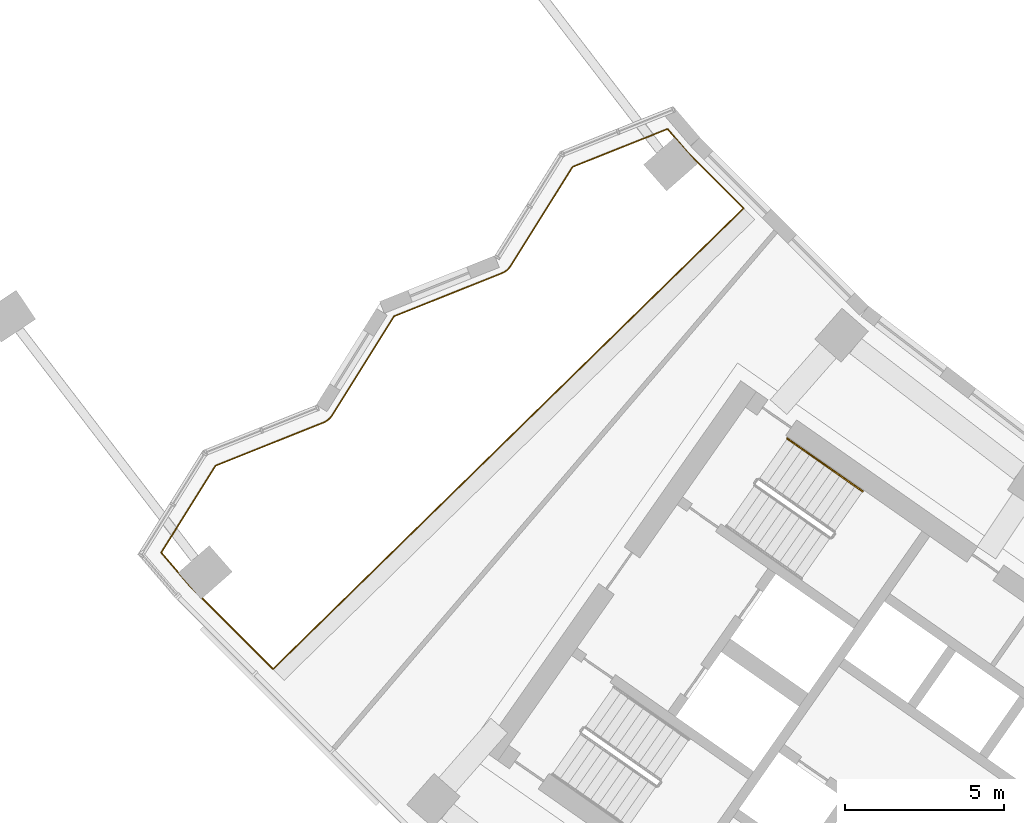
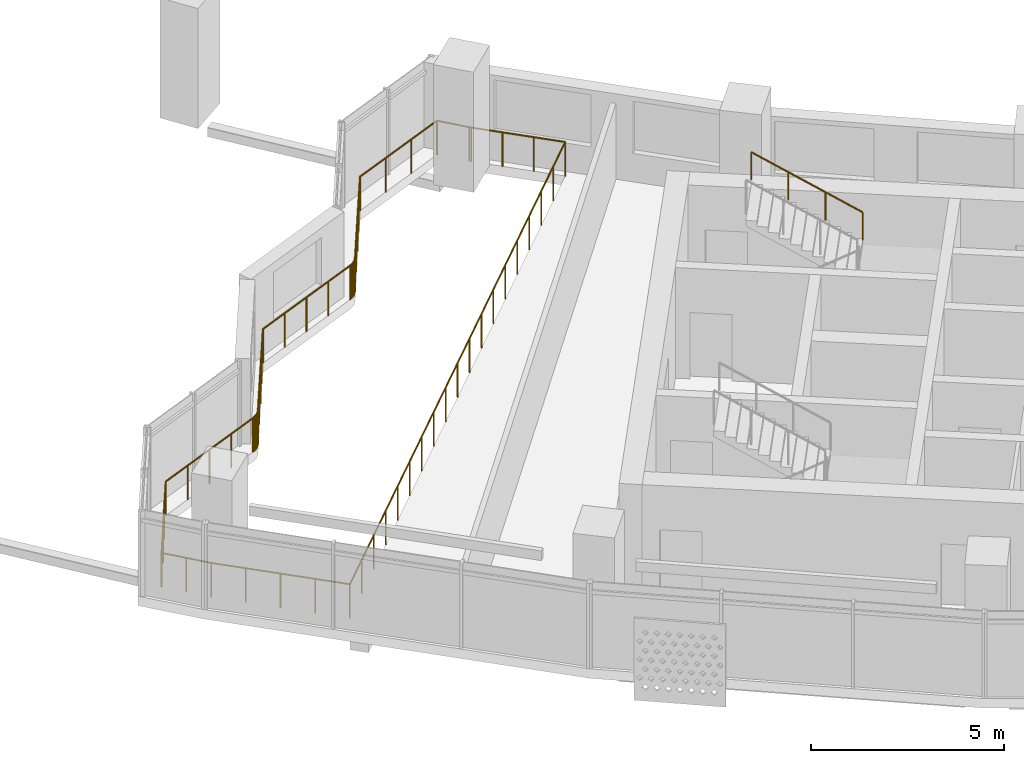
# One storey, part 24 of 27: 2 railings.
"""IFC4 building model written with IfcOpenShell, lengths in metres."""

from ifc_helpers import new_model, si_unit, direction, frame, origin, origin_2d, place, context, subcontext, project, spatial, circle, extrude, material, type_object, element, save


model = new_model("IFC4")

# Units and contexts
model_context = context("Model", 3, precision=1e-05, world=origin(), true_north=direction((0.0, 1.0)))
body_context = subcontext(model_context, "Body", "Model", "MODEL_VIEW")
ifc_project = project(units=[si_unit("LENGTHUNIT", "METRE"), si_unit("AREAUNIT", "SQUARE_METRE"), si_unit("VOLUMEUNIT", "CUBIC_METRE"), si_unit("PLANEANGLEUNIT", "RADIAN"), si_unit("MASSUNIT", "GRAM", prefix="KILO")], contexts=[model_context])

# Site, building, storey
site_placement = place(None, origin())
site = spatial("IfcSite", under=ifc_project, at=site_placement, CompositionType="ELEMENT")
building_placement = place(site_placement, origin())
building = spatial("IfcBuilding", under=site, at=building_placement, Name="Qamariyya Broadcast Tower", CompositionType="ELEMENT")
storey_placement = place(building_placement, frame((0.0, 0.0, 153.10009765625)))
storey = spatial("IfcBuildingStorey", under=building, at=storey_placement, Name="L35", CompositionType="ELEMENT", Elevation=153.10009765625)

# Railings
ifc_material_1 = material(Name="Stainless steel S316 balustrade", Category="steel")
railing_type_1 = type_object("IfcRailingType", Name="Garden void guard", PredefinedType="GUARDRAIL", material=ifc_material_1)
railing_1_placement = place(storey_placement, frame((-58.954833984375, -51.680419921875, 0.0)))
element("IfcRailing", 1, at=railing_1_placement, inside=storey, type_object=railing_type_1, Name="Guard round Sky garden B3", PredefinedType="GUARDRAIL", context=body_context, shape_type="SweptSolid", body=[
    extrude(circle(Radius=0.02392578125, at=origin_2d()), frame((0.0, 0.0, 1.076171875), z_axis=(0.707139554785, -0.707074006069, 0.0), x_axis=(0.707074006069, 0.707139554785, 0.0)), (0.0, 0.0, 1.0), 3.724609375),
    extrude(circle(Radius=0.02392578125, at=origin_2d()), frame((2.6337890625, -2.633544921875, 1.076171875), z_axis=(0.714473182378, 0.699662827126, 0.0), x_axis=(-0.699662827126, 0.714473182378, 0.0)), (0.0, 0.0, 1.0), 20.75390625),
    extrude(circle(Radius=0.02392578125, at=origin_2d()), frame((17.4619140625, 11.88720703125, 1.076171875), z_axis=(-0.707106781187, 0.707106781187, 0.0), x_axis=(-0.707106781187, -0.707106781187, 0.0)), (0.0, 0.0, 1.0), 2.52587890625),
    extrude(circle(Radius=0.02392578125, at=origin_2d()), frame((15.67578125, 13.67333984375, 1.076171875), z_axis=(-0.680248811934, 0.732981277975, 0.0), x_axis=(-0.732981277975, -0.680248811934, 0.0)), (0.0, 0.0, 1.0), 0.04638671875),
    extrude(circle(Radius=0.02392578125, at=origin_2d()), frame((15.644287109375, 13.707275390625, 1.076171875), z_axis=(-0.650429985619, 0.759566214235, 0.0), x_axis=(-0.759566214235, -0.650429985619, 0.0)), (0.0, 0.0, 1.0), 0.890380859375),
    extrude(circle(Radius=0.02392578125, at=origin_2d()), frame((15.065185546875, 14.383544921875, 1.076171875), z_axis=(-0.928816054164, -0.370541141478, 0.0), x_axis=(0.370541141478, -0.928816054164, 0.0)), (0.0, 0.0, 1.0), 3.22119140625),
    extrude(circle(Radius=0.02392578125, at=origin_2d()), frame((12.0732421875, 13.18994140625, 1.076171875), z_axis=(-0.530088557877, -0.847942286248, 0.0), x_axis=(0.847942286248, -0.530088557877, 0.0)), (0.0, 0.0, 1.0), 3.673095703125),
    extrude(circle(Radius=0.02392578125, at=origin_2d()), frame((10.126220703125, 10.075439453125, 1.076171875), z_axis=(-0.572423567845, -0.81995808367, 0.0), x_axis=(0.81995808367, -0.572423567845, 0.0)), (0.0, 0.0, 1.0), 0.063232421875),
    extrude(circle(Radius=0.02392578125, at=origin_2d()), frame((10.090087890625, 10.023681640625, 1.076171875), z_axis=(-0.657135200432, -0.753772729908, 0.0), x_axis=(0.753772729908, -0.657135200432, 0.0)), (0.0, 0.0, 1.0), 0.063232421875),
    extrude(circle(Radius=0.02392578125, at=origin_2d()), frame((10.048583984375, 9.97607421875, 1.076171875), z_axis=(-0.733618074855, -0.679562006182, 0.0), x_axis=(0.679562006182, -0.733618074855, 0.0)), (0.0, 0.0, 1.0), 0.063232421875),
    extrude(circle(Radius=0.02392578125, at=origin_2d()), frame((10.002197265625, 9.93310546875, 1.076171875), z_axis=(-0.798608971494, -0.601850239387, 0.0), x_axis=(0.601850239387, -0.798608971494, 0.0)), (0.0, 0.0, 1.0), 0.063232421875),
    extrude(circle(Radius=0.02392578125, at=origin_2d()), frame((9.95166015625, 9.89501953125, 1.076171875), z_axis=(-0.860542162319, -0.509379217157, 0.0), x_axis=(0.509379217157, -0.860542162319, 0.0)), (0.0, 0.0, 1.0), 0.063232421875),
    extrude(circle(Radius=0.02392578125, at=origin_2d()), frame((9.897216796875, 9.86279296875, 1.076171875), z_axis=(-0.907166879896, -0.420771020888, 0.0), x_axis=(0.420771020888, -0.907166879896, 0.0)), (0.0, 0.0, 1.0), 0.063232421875),
    extrude(circle(Radius=0.02392578125, at=origin_2d()), frame((9.83984375, 9.836181640625, 1.076171875), z_axis=(-0.928785319933, -0.370618172082, 0.0), x_axis=(0.370618172082, -0.928785319933, 0.0)), (0.0, 0.0, 1.0), 3.6513671875),
    extrude(circle(Radius=0.02392578125, at=origin_2d()), frame((6.448486328125, 8.48291015625, 1.076171875), z_axis=(-0.5299869868, -0.84800577464, 0.0), x_axis=(0.84800577464, -0.5299869868, 0.0)), (0.0, 0.0, 1.0), 3.671875),
    extrude(circle(Radius=0.02392578125, at=origin_2d()), frame((4.50244140625, 5.369140625, 1.076171875), z_axis=(-0.575015338113, -0.818142628724, 0.0), x_axis=(0.818142628724, -0.575015338113, 0.0)), (0.0, 0.0, 1.0), 0.063232421875),
    extrude(circle(Radius=0.02392578125, at=origin_2d()), frame((4.466064453125, 5.3173828125, 1.076171875), z_axis=(-0.657135200432, -0.753772729908, 0.0), x_axis=(0.753772729908, -0.657135200432, 0.0)), (0.0, 0.0, 1.0), 0.063232421875),
    extrude(circle(Radius=0.02392578125, at=origin_2d()), frame((4.424560546875, 5.269775390625, 1.076171875), z_axis=(-0.731827380638, -0.681490047578, 0.0), x_axis=(0.681490047578, -0.731827380638, 0.0)), (0.0, 0.0, 1.0), 0.06298828125),
    extrude(circle(Radius=0.02392578125, at=origin_2d()), frame((4.37841796875, 5.226806640625, 1.076171875), z_axis=(-0.8, -0.6, 0.0), x_axis=(0.6, -0.8, 0.0)), (0.0, 0.0, 1.0), 0.0634765625),
    extrude(circle(Radius=0.02392578125, at=origin_2d()), frame((4.32763671875, 5.188720703125, 1.076171875), z_axis=(-0.859535888021, -0.511075392877, 0.0), x_axis=(0.511075392877, -0.859535888021, 0.0)), (0.0, 0.0, 1.0), 0.06298828125),
    extrude(circle(Radius=0.02392578125, at=origin_2d()), frame((4.2734375, 5.156494140625, 1.076171875), z_axis=(-0.907166879896, -0.420771020888, 0.0), x_axis=(0.420771020888, -0.907166879896, 0.0)), (0.0, 0.0, 1.0), 0.063232421875),
    extrude(circle(Radius=0.02392578125, at=origin_2d()), frame((4.216064453125, 5.1298828125, 1.076171875), z_axis=(-0.928753016064, -0.370699116739, 0.0), x_axis=(0.370699116739, -0.928753016064, 0.0)), (0.0, 0.0, 1.0), 3.652587890625),
    extrude(circle(Radius=0.02392578125, at=origin_2d()), frame((0.82373046875, 3.77587890625, 1.076171875), z_axis=(-0.529917409055, -0.848049255398, 0.0), x_axis=(0.848049255398, -0.529917409055, 0.0)), (0.0, 0.0, 1.0), 3.22998046875),
    extrude(circle(Radius=0.02392578125, at=origin_2d()), frame((-0.887939453125, 1.03662109375, 1.076171875), z_axis=(0.650540923627, -0.759471202013, 0.0), x_axis=(0.759471202013, 0.650540923627, 0.0)), (0.0, 0.0, 1.0), 1.364990234375),
    extrude(circle(Radius=0.02099609375, at=origin_2d()), origin(), (0.0, 0.0, 1.0), 1.052001953125),
    extrude(circle(Radius=0.02099609375, at=origin_2d()), frame((0.658447265625, -0.658447265625, 0.0)), (0.0, 0.0, 1.0), 1.052001953125),
    extrude(circle(Radius=0.02099609375, at=origin_2d()), frame((1.31689453125, -1.31689453125, 0.0)), (0.0, 0.0, 1.0), 1.052001953125),
    extrude(circle(Radius=0.02099609375, at=origin_2d()), frame((1.975341796875, -1.97509765625, 0.0)), (0.0, 0.0, 1.0), 1.052001953125),
    extrude(circle(Radius=0.02099609375, at=origin_2d()), frame((2.6337890625, -2.633544921875, 0.0)), (0.0, 0.0, 1.0), 1.052001953125),
    extrude(circle(Radius=0.02099609375, at=origin_2d()), frame((3.45751953125, -1.826904296875, 0.0)), (0.0, 0.0, 1.0), 1.052001953125),
    extrude(circle(Radius=0.02099609375, at=origin_2d()), frame((4.28125, -1.02001953125, 0.0)), (0.0, 0.0, 1.0), 1.052001953125),
    extrude(circle(Radius=0.02099609375, at=origin_2d()), frame((5.105224609375, -0.21337890625, 0.0)), (0.0, 0.0, 1.0), 1.052001953125),
    extrude(circle(Radius=0.02099609375, at=origin_2d()), frame((5.928955078125, 0.59326171875, 0.0)), (0.0, 0.0, 1.0), 1.052001953125),
    extrude(circle(Radius=0.02099609375, at=origin_2d()), frame((6.752685546875, 1.39990234375, 0.0)), (0.0, 0.0, 1.0), 1.052001953125),
    extrude(circle(Radius=0.02099609375, at=origin_2d()), frame((7.576416015625, 2.206787109375, 0.0)), (0.0, 0.0, 1.0), 1.052001953125),
    extrude(circle(Radius=0.02099609375, at=origin_2d()), frame((8.400390625, 3.013427734375, 0.0)), (0.0, 0.0, 1.0), 1.052001953125),
    extrude(circle(Radius=0.02099609375, at=origin_2d()), frame((9.22412109375, 3.820068359375, 0.0)), (0.0, 0.0, 1.0), 1.052001953125),
    extrude(circle(Radius=0.02099609375, at=origin_2d()), frame((10.0478515625, 4.626953125, 0.0)), (0.0, 0.0, 1.0), 1.052001953125),
    extrude(circle(Radius=0.02099609375, at=origin_2d()), frame((10.87158203125, 5.43359375, 0.0)), (0.0, 0.0, 1.0), 1.052001953125),
    extrude(circle(Radius=0.02099609375, at=origin_2d()), frame((11.6953125, 6.240234375, 0.0)), (0.0, 0.0, 1.0), 1.052001953125),
    extrude(circle(Radius=0.02099609375, at=origin_2d()), frame((12.519287109375, 7.046875, 0.0)), (0.0, 0.0, 1.0), 1.052001953125),
    extrude(circle(Radius=0.02099609375, at=origin_2d()), frame((13.343017578125, 7.853759765625, 0.0)), (0.0, 0.0, 1.0), 1.052001953125),
    extrude(circle(Radius=0.02099609375, at=origin_2d()), frame((14.166748046875, 8.660400390625, 0.0)), (0.0, 0.0, 1.0), 1.052001953125),
    extrude(circle(Radius=0.02099609375, at=origin_2d()), frame((14.990478515625, 9.467041015625, 0.0)), (0.0, 0.0, 1.0), 1.052001953125),
    extrude(circle(Radius=0.02099609375, at=origin_2d()), frame((15.814453125, 10.273681640625, 0.0)), (0.0, 0.0, 1.0), 1.052001953125),
    extrude(circle(Radius=0.02099609375, at=origin_2d()), frame((16.63818359375, 11.08056640625, 0.0)), (0.0, 0.0, 1.0), 1.052001953125),
    extrude(circle(Radius=0.02099609375, at=origin_2d()), frame((17.4619140625, 11.88720703125, 0.0)), (0.0, 0.0, 1.0), 1.052001953125),
    extrude(circle(Radius=0.02099609375, at=origin_2d()), frame((16.866455078125, 12.482666015625, 0.0)), (0.0, 0.0, 1.0), 1.052001953125),
    extrude(circle(Radius=0.02099609375, at=origin_2d()), frame((16.271240234375, 13.077880859375, 0.0)), (0.0, 0.0, 1.0), 1.052001953125),
    extrude(circle(Radius=0.02099609375, at=origin_2d()), frame((15.67578125, 13.67333984375, 0.0)), (0.0, 0.0, 1.0), 1.052001953125),
    extrude(circle(Radius=0.02099609375, at=origin_2d()), frame((15.644287109375, 13.707275390625, 0.0)), (0.0, 0.0, 1.0), 1.052001953125),
    extrude(circle(Radius=0.02099609375, at=origin_2d()), frame((15.065185546875, 14.383544921875, 0.0)), (0.0, 0.0, 1.0), 1.052001953125),
    extrude(circle(Radius=0.02099609375, at=origin_2d()), frame((14.06787109375, 13.985595703125, 0.0)), (0.0, 0.0, 1.0), 1.052001953125),
    extrude(circle(Radius=0.02099609375, at=origin_2d()), frame((13.070556640625, 13.587890625, 0.0)), (0.0, 0.0, 1.0), 1.052001953125),
    extrude(circle(Radius=0.02099609375, at=origin_2d()), frame((12.0732421875, 13.18994140625, 0.0)), (0.0, 0.0, 1.0), 1.052001953125),
    extrude(circle(Radius=0.02099609375, at=origin_2d()), frame((11.58642578125, 12.411376953125, 0.0)), (0.0, 0.0, 1.0), 1.052001953125),
    extrude(circle(Radius=0.02099609375, at=origin_2d()), frame((11.099609375, 11.6328125, 0.0)), (0.0, 0.0, 1.0), 1.052001953125),
    extrude(circle(Radius=0.02099609375, at=origin_2d()), frame((10.613037109375, 10.85400390625, 0.0)), (0.0, 0.0, 1.0), 1.052001953125),
    extrude(circle(Radius=0.02099609375, at=origin_2d()), frame((10.126220703125, 10.075439453125, 0.0)), (0.0, 0.0, 1.0), 1.052001953125),
    extrude(circle(Radius=0.02099609375, at=origin_2d()), frame((10.090087890625, 10.023681640625, 0.0)), (0.0, 0.0, 1.0), 1.052001953125),
    extrude(circle(Radius=0.02099609375, at=origin_2d()), frame((10.048583984375, 9.97607421875, 0.0)), (0.0, 0.0, 1.0), 1.052001953125),
    extrude(circle(Radius=0.02099609375, at=origin_2d()), frame((10.002197265625, 9.93310546875, 0.0)), (0.0, 0.0, 1.0), 1.052001953125),
    extrude(circle(Radius=0.02099609375, at=origin_2d()), frame((9.95166015625, 9.89501953125, 0.0)), (0.0, 0.0, 1.0), 1.052001953125),
    extrude(circle(Radius=0.02099609375, at=origin_2d()), frame((9.897216796875, 9.86279296875, 0.0)), (0.0, 0.0, 1.0), 1.052001953125),
    extrude(circle(Radius=0.02099609375, at=origin_2d()), frame((9.83984375, 9.836181640625, 0.0)), (0.0, 0.0, 1.0), 1.052001953125),
    extrude(circle(Radius=0.02099609375, at=origin_2d()), frame((8.991943359375, 9.497802734375, 0.0)), (0.0, 0.0, 1.0), 1.052001953125),
    extrude(circle(Radius=0.02099609375, at=origin_2d()), frame((8.14404296875, 9.15966796875, 0.0)), (0.0, 0.0, 1.0), 1.052001953125),
    extrude(circle(Radius=0.02099609375, at=origin_2d()), frame((7.29638671875, 8.8212890625, 0.0)), (0.0, 0.0, 1.0), 1.052001953125),
    extrude(circle(Radius=0.02099609375, at=origin_2d()), frame((6.448486328125, 8.48291015625, 0.0)), (0.0, 0.0, 1.0), 1.052001953125),
    extrude(circle(Radius=0.02099609375, at=origin_2d()), frame((5.9619140625, 7.70458984375, 0.0)), (0.0, 0.0, 1.0), 1.052001953125),
    extrude(circle(Radius=0.02099609375, at=origin_2d()), frame((5.4755859375, 6.926025390625, 0.0)), (0.0, 0.0, 1.0), 1.052001953125),
    extrude(circle(Radius=0.02099609375, at=origin_2d()), frame((4.989013671875, 6.1474609375, 0.0)), (0.0, 0.0, 1.0), 1.052001953125),
    extrude(circle(Radius=0.02099609375, at=origin_2d()), frame((4.50244140625, 5.369140625, 0.0)), (0.0, 0.0, 1.0), 1.052001953125),
    extrude(circle(Radius=0.02099609375, at=origin_2d()), frame((4.466064453125, 5.3173828125, 0.0)), (0.0, 0.0, 1.0), 1.052001953125),
    extrude(circle(Radius=0.02099609375, at=origin_2d()), frame((4.424560546875, 5.269775390625, 0.0)), (0.0, 0.0, 1.0), 1.052001953125),
    extrude(circle(Radius=0.02099609375, at=origin_2d()), frame((4.37841796875, 5.226806640625, 0.0)), (0.0, 0.0, 1.0), 1.052001953125),
    extrude(circle(Radius=0.02099609375, at=origin_2d()), frame((4.32763671875, 5.188720703125, 0.0)), (0.0, 0.0, 1.0), 1.052001953125),
    extrude(circle(Radius=0.02099609375, at=origin_2d()), frame((4.2734375, 5.156494140625, 0.0)), (0.0, 0.0, 1.0), 1.052001953125),
    extrude(circle(Radius=0.02099609375, at=origin_2d()), frame((4.216064453125, 5.1298828125, 0.0)), (0.0, 0.0, 1.0), 1.052001953125),
    extrude(circle(Radius=0.02099609375, at=origin_2d()), frame((3.367919921875, 4.79150390625, 0.0)), (0.0, 0.0, 1.0), 1.052001953125),
    extrude(circle(Radius=0.02099609375, at=origin_2d()), frame((2.52001953125, 4.452880859375, 0.0)), (0.0, 0.0, 1.0), 1.052001953125),
    extrude(circle(Radius=0.02099609375, at=origin_2d()), frame((1.671875, 4.1142578125, 0.0)), (0.0, 0.0, 1.0), 1.052001953125),
    extrude(circle(Radius=0.02099609375, at=origin_2d()), frame((0.82373046875, 3.77587890625, 0.0)), (0.0, 0.0, 1.0), 1.052001953125),
    extrude(circle(Radius=0.02099609375, at=origin_2d()), frame((0.253173828125, 2.86279296875, 0.0)), (0.0, 0.0, 1.0), 1.052001953125),
    extrude(circle(Radius=0.02099609375, at=origin_2d()), frame((-0.3173828125, 1.94970703125, 0.0)), (0.0, 0.0, 1.0), 1.052001953125),
    extrude(circle(Radius=0.02099609375, at=origin_2d()), frame((-0.887939453125, 1.03662109375, 0.0)), (0.0, 0.0, 1.0), 1.052001953125),
    extrude(circle(Radius=0.02099609375, at=origin_2d()), frame((-0.44384765625, 0.518310546875, 0.0)), (0.0, 0.0, 1.0), 1.052001953125),
])
ifc_material_2 = material(Name="Stainless steel", Category="steel")
railing_type_2 = type_object("IfcRailingType", Name="Stair handrail", PredefinedType="HANDRAIL", material=ifc_material_2)
railing_2_placement = place(storey_placement, frame((-37.73876953125, -48.7138671875, 2.072509765625)))
element("IfcRailing", 2, at=railing_2_placement, inside=storey, type_object=railing_type_2, Name="L35 ST-W2 stair handrail 2", PredefinedType="HANDRAIL", context=body_context, shape_type="SweptSolid", body=[
    extrude(circle(Radius=0.02392578125, at=origin_2d()), frame((0.0, 0.0, 0.8759765625), z_axis=(-0.703745009021, 0.492838488332, 0.511715923826), x_axis=(-0.573631830683, -0.819113253969, 0.0)), (0.0, 0.0, 1.0), 3.37548828125),
    extrude(circle(Radius=0.02099609375, at=origin_2d()), origin(), (0.0, 0.0, 1.0), 0.851806640625),
    extrude(circle(Radius=0.02099609375, at=origin_2d()), frame((-0.791748046875, 0.554443359375, 0.57568359375)), (0.0, 0.0, 1.0), 0.851806640625),
    extrude(circle(Radius=0.02099609375, at=origin_2d()), frame((-1.583740234375, 1.109130859375, 1.151611328125)), (0.0, 0.0, 1.0), 0.851806640625),
    extrude(circle(Radius=0.02099609375, at=origin_2d()), frame((-2.37548828125, 1.66357421875, 1.727294921875)), (0.0, 0.0, 1.0), 0.851806640625),
])

save(model, "model.ifc")
